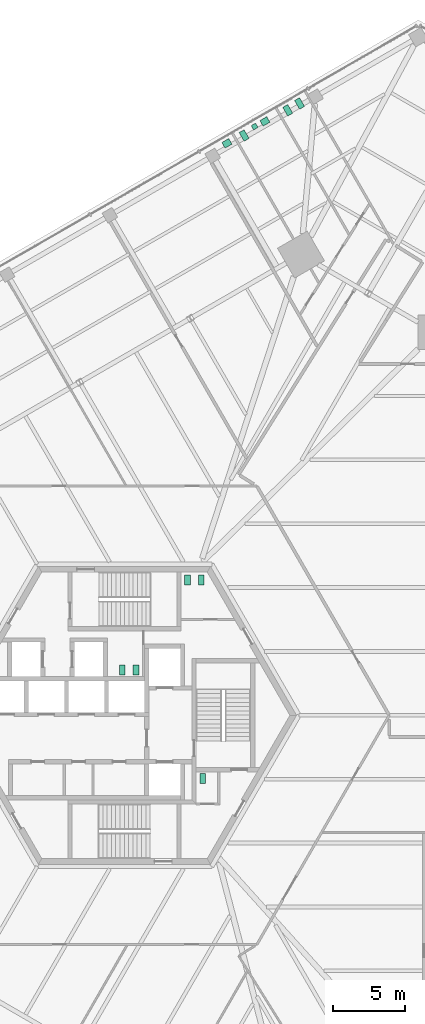
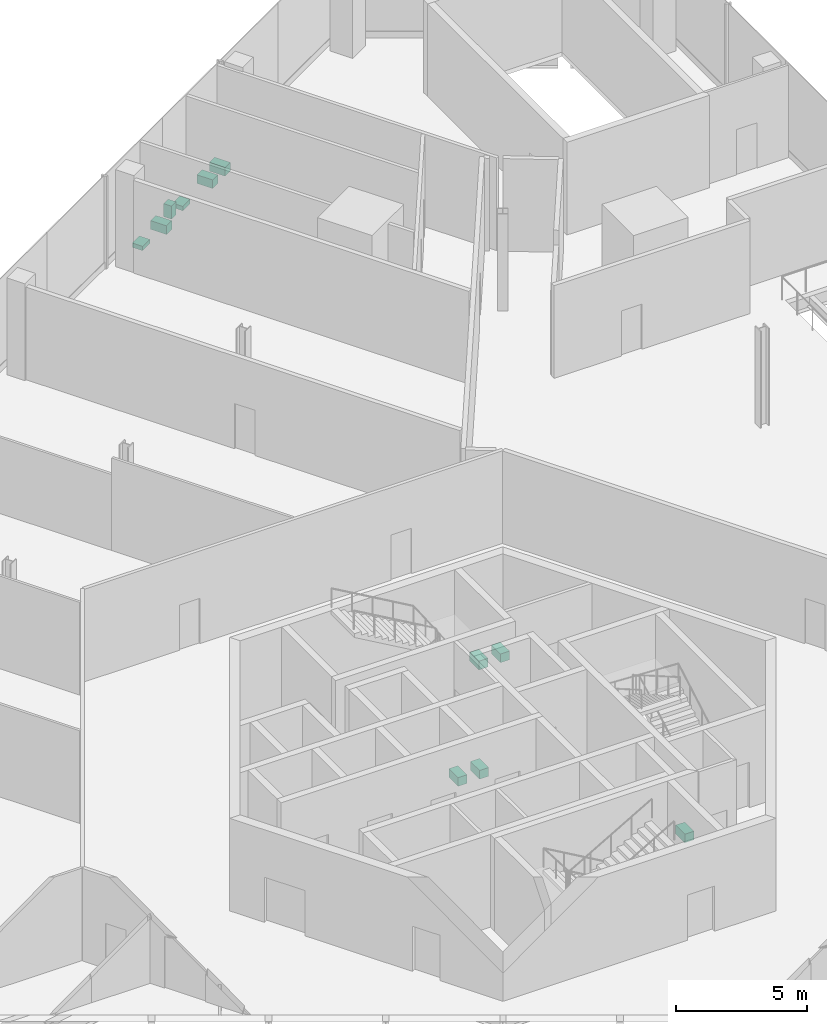
# One storey, part 25 of 25: 11 sanitary terminals.
"""IFC4 building model written with IfcOpenShell, lengths in metres."""

from ifc_helpers import new_model, si_unit, direction, frame, origin, origin_2d, place, context, subcontext, project, spatial, rectangle, extrude, source, transform, mapped, material, element, save


model = new_model("IFC4")

# Units and contexts
model_context = context("Model", 3, precision=1e-05, world=origin(), true_north=direction((0.0, 1.0)))
body_context = subcontext(model_context, "Body", "Model", "MODEL_VIEW")
ifc_project = project(units=[si_unit("LENGTHUNIT", "METRE"), si_unit("AREAUNIT", "SQUARE_METRE"), si_unit("VOLUMEUNIT", "CUBIC_METRE"), si_unit("PLANEANGLEUNIT", "RADIAN"), si_unit("MASSUNIT", "GRAM", prefix="KILO")], contexts=[model_context])

# Site, building, storey
site_placement = place(None, origin())
site = spatial("IfcSite", under=ifc_project, at=site_placement, CompositionType="ELEMENT")
building_placement = place(site_placement, origin())
building = spatial("IfcBuilding", under=site, at=building_placement, Name="Triune Harvest Tower", CompositionType="ELEMENT")
storey_placement = place(building_placement, frame((0.0, 0.0, 11.5)))
storey = spatial("IfcBuildingStorey", under=building, at=storey_placement, Name="L02", CompositionType="ELEMENT", Elevation=11.5)

# Sanitary terminals
ifc_material = material(Name="Vitreous china")
shared_shape_1 = source(origin(), body_context, "Body", "SweptSolid", [
    extrude(rectangle(XDim=0.39990234375, YDim=0.699951171875, at=origin_2d()), origin(), (0.0, 0.0, 1.0), 0.39990234375),
])
for number, where, z_axis, x_axis, name in (
    (1, (4.39990234375, 9.449951171875, 0.0), (0.0, 0.0, 1.0), (1.0, 0.0, 0.0), "Toilet pan L02.c01"),
    (2, (5.35009765625, 9.449951171875, 0.0), (0.0, 0.0, 1.0), (1.0, 0.0, 0.0), "Toilet pan L02.c02"),
    (3, (0.800048828125, 3.159912109375, 0.0), (0.0, 0.0, 1.0), (-1.0, 0.0, 0.0), "Toilet pan L02.c03"),
    (4, (-0.14990234375, 3.159912109375, 0.0), (0.0, 0.0, 1.0), (-1.0, 0.0, 0.0), "Toilet pan L02.c04"),
    (5, (5.449951171875, -4.39990234375, 0.0), (0.0, 0.0, 1.0), (1.0, 0.0, 0.0), "Toilet pan L02.c05"),
    (6, (11.38671875, 42.20166015625, 0.0), (0.0, 0.0, 1.0), (0.866016677006, 0.500015114919, 0.0), "Toilet pan 01"),
    (7, (12.20947265625, 42.676513671875, 0.0), (0.0, 0.0, 1.0), (0.866016677006, 0.500015114919, 0.0), "Toilet pan 02"),
    (8, (8.343017578125, 40.444091796875, 0.0), (0.0, 0.0, 1.0), (0.866025403784, 0.5, 0.0), "Toilet pan 03"),
):
    element("IfcSanitaryTerminal", number, at=place(storey_placement, frame(where, z_axis=z_axis, x_axis=x_axis)), inside=storey, material=ifc_material, Name=name, PredefinedType="TOILETPAN", context=body_context, shape_type="MappedRepresentation", body=[
        mapped(shared_shape_1, transform((0.0, 0.0, 0.0), scale=1.0)),
    ])
shared_shape_2 = source(origin(), body_context, "Body", "SweptSolid", [
    extrude(rectangle(XDim=0.35009765625, YDim=0.35009765625, at=origin_2d()), origin(), (0.0, 0.0, 1.0), 0.60009765625),
])
sanitary_terminal_placement = place(storey_placement, frame((9.078125, 41.07080078125, 0.0), z_axis=(0.0, 0.0, 1.0), x_axis=(0.866025403784, 0.5, 0.0)))
element("IfcSanitaryTerminal", 9, at=sanitary_terminal_placement, inside=storey, material=ifc_material, Name="Urinal 04", PredefinedType="URINAL", context=body_context, shape_type="MappedRepresentation", body=[
    mapped(shared_shape_2, transform((0.0, 0.0, 0.0), scale=1.0)),
])
shared_shape_3 = source(origin(), body_context, "Body", "SweptSolid", [
    extrude(rectangle(XDim=0.550048828125, YDim=0.449951171875, at=origin_2d()), origin(), (0.0, 0.0, 1.0), 0.199951171875),
])
for number, where, z_axis, x_axis, name in (
    (10, (9.7958984375, 41.427490234375, 0.0), (0.0, 0.0, 1.0), (0.866025403784, 0.5, 0.0), "Wash basin 05"),
    (11, (7.143798828125, 39.896484375, 0.0), (0.0, 0.0, 1.0), (0.865999222659, 0.500045344299, 0.0), "Wash basin 06"),
):
    element("IfcSanitaryTerminal", number, at=place(storey_placement, frame(where, z_axis=z_axis, x_axis=x_axis)), inside=storey, material=ifc_material, Name=name, PredefinedType="WASHHANDBASIN", context=body_context, shape_type="MappedRepresentation", body=[
        mapped(shared_shape_3, transform((0.0, 0.0, 0.0), scale=1.0)),
    ])

save(model, "model.ifc")
